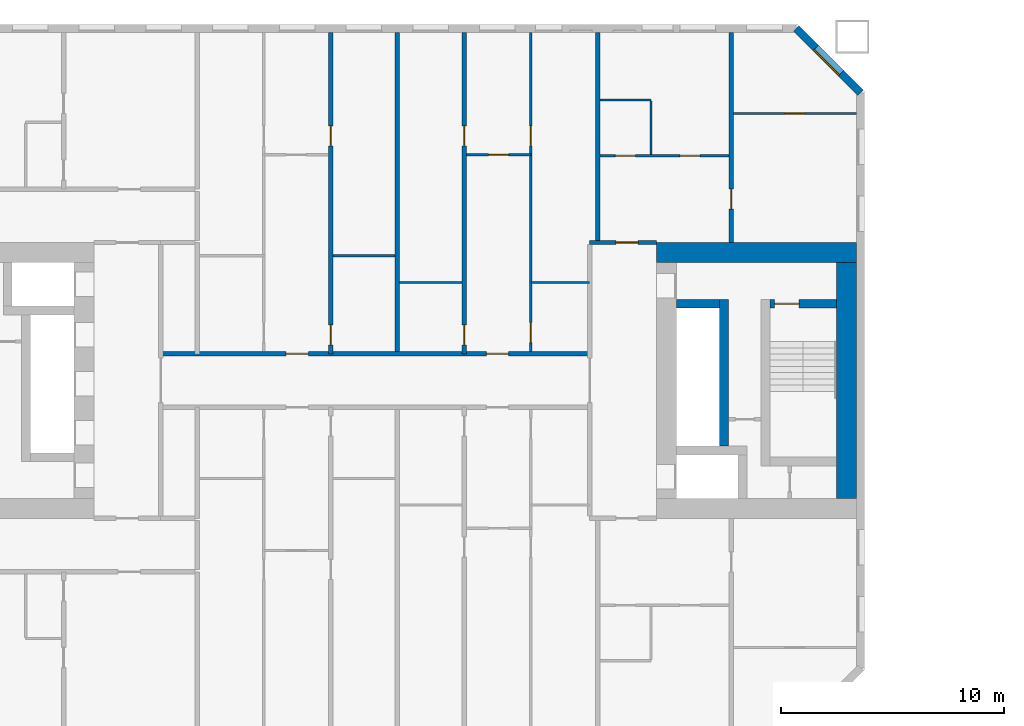
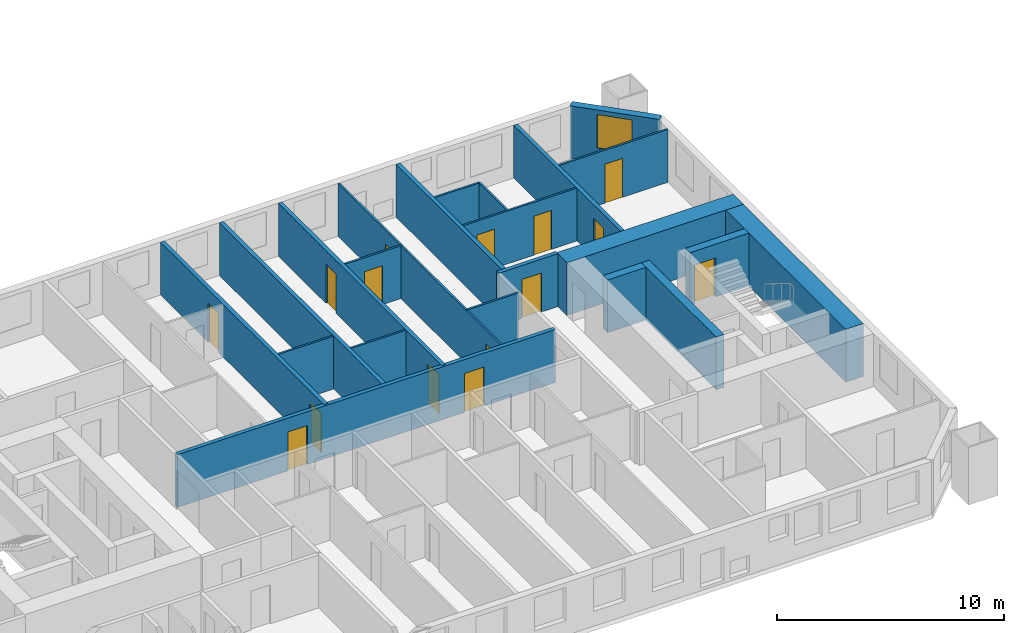
# One storey, part 8 of 17: 22 walls, 15 doors, 1 window, 16 openings.
"""IFC4 building model written with IfcOpenShell, lengths in metres."""

import ifcopenshell
import ifcopenshell.guid

model = None  # the IFC model being written
_history = None  # IfcOwnerHistory: only IFC2X3 demands one
_inside = {}  # id of a spatial element -> (the spatial element, [elements in it])
_under = {}  # id of a project, library or spatial element -> (it, [spatial elements below it])
_declared = {}  # id of a project -> (the project, [libraries it declares])
_typed = {}  # id of a type object -> (the type object, [elements of that type])
_made_of = {}  # id of a material, layer set ... -> (it, [elements and type objects made of it])


def new_model(schema):
    """Start an empty IFC model of exactly this schema.

    Asked for "IFC4X3", IfcOpenShell would pick the latest addendum, in which some entities
    have other attributes; the version numbers below select the first issue.
    IFC2X3 requires an IfcOwnerHistory on every rooted entity: one is made here for all.
    """
    global model, _history
    if schema == "IFC4X3":
        model = ifcopenshell.file(schema_version=(4, 3, 0, 0))
    else:
        model = ifcopenshell.file(schema=schema)
    _inside.clear()
    _under.clear()
    _declared.clear()
    _typed.clear()
    _made_of.clear()
    _history = None
    if model.schema == "IFC2X3":
        org = make("IfcOrganization", Name="unknown")
        user = make(
            "IfcPersonAndOrganization",
            ThePerson=make("IfcPerson", FamilyName="unknown"),
            TheOrganization=org,
        )
        app = make(
            "IfcApplication",
            ApplicationDeveloper=org,
            Version="unknown",
            ApplicationFullName="unknown",
            ApplicationIdentifier="unknown",
        )
        _history = make(
            "IfcOwnerHistory",
            OwningUser=user,
            OwningApplication=app,
            ChangeAction="ADDED",
            CreationDate=0,
        )
    return model


def make(cls, **values):
    """One entity of the class cls with the attributes given. An attribute that is None is left unset."""
    return model.create_entity(
        cls, **{name: value for name, value in values.items() if value is not None}
    )


def rooted(cls, **values):
    """An entity with a GlobalId (a new one), such as an element, a storey or a relation."""
    return make(cls, GlobalId=ifcopenshell.guid.new(), OwnerHistory=_history, **values)


def si_unit(unit_type, name, prefix=None):
    """IfcSIUnit, for example si_unit("LENGTHUNIT", "METRE", prefix="MILLI")."""
    return make("IfcSIUnit", UnitType=unit_type, Prefix=prefix, Name=name)


def assignment(units):
    """IfcUnitAssignment: the units of a project."""
    return None if units is None else make("IfcUnitAssignment", Units=units)


def point(xyz):
    """IfcCartesianPoint."""
    return None if xyz is None else make("IfcCartesianPoint", Coordinates=xyz)


def direction(xyz):
    """IfcDirection."""
    return None if xyz is None else make("IfcDirection", DirectionRatios=xyz)


def frame(location, z_axis=None, x_axis=None):
    """IfcAxis2Placement3D, a coordinate frame: its origin and axes. An axis left out is left unset."""
    return make(
        "IfcAxis2Placement3D",
        Location=point(location),
        Axis=direction(z_axis),
        RefDirection=direction(x_axis),
    )


def frame_2d(location, x_axis=None):
    """IfcAxis2Placement2D, a coordinate frame in the plane: its origin and x axis."""
    return make(
        "IfcAxis2Placement2D", Location=point(location), RefDirection=direction(x_axis)
    )


def origin():
    """The frame at (0, 0, 0) with its axes left unset."""
    return frame((0.0, 0.0, 0.0))


def place(relative_to, where):
    """IfcLocalPlacement: puts the frame where relative to a parent placement (None: the world)."""
    return make(
        "IfcLocalPlacement", PlacementRelTo=relative_to, RelativePlacement=where
    )


def context(
    kind, dimensions, precision=None, world=None, true_north=None, identifier=None
):
    """IfcGeometricRepresentationContext, for example the 3D "Model" context."""
    return make(
        "IfcGeometricRepresentationContext",
        ContextIdentifier=identifier,
        ContextType=kind,
        CoordinateSpaceDimension=dimensions,
        Precision=precision,
        WorldCoordinateSystem=world,
        TrueNorth=true_north,
    )


def subcontext(parent, identifier, kind, view, scale=None):
    """IfcGeometricRepresentationSubContext, for example "Body" below "Model"."""
    return make(
        "IfcGeometricRepresentationSubContext",
        ContextIdentifier=identifier,
        ContextType=kind,
        ParentContext=parent,
        TargetScale=scale,
        TargetView=view,
    )


def project(units=None, contexts=None):
    """IfcProject with its units and contexts."""
    return rooted(
        "IfcProject",
        Name="project",
        RepresentationContexts=contexts,
        UnitsInContext=assignment(units),
    )


def spatial(cls, under=None, at=None, **own):
    """A site, building, storey or space (cls), placed at a placement, below another one or the project."""
    s = rooted(cls, ObjectPlacement=at, **own)
    if under is not None:
        _under.setdefault(under.id(), (under, []))[1].append(s)
    return s


def profile(cls, at=None, kind="AREA", **sizes):
    """A parametric profile (cls). Its sizes go by their IFC names, for example OverallWidth=200.0."""
    return make(cls, ProfileType=kind, Position=at, **sizes)


def rectangle(**sizes):
    """IfcRectangleProfileDef."""
    return profile("IfcRectangleProfileDef", **sizes)


def extrude(swept, where, along, depth):
    """IfcExtrudedAreaSolid: the profile swept, set in the frame where, extruded along a direction by depth."""
    return make(
        "IfcExtrudedAreaSolid",
        SweptArea=swept,
        Position=where,
        ExtrudedDirection=direction(along),
        Depth=depth,
    )


def shape(context_of_items, identifier, shape_type, items):
    """IfcShapeRepresentation: the items that make up one representation, for example the "Body"."""
    return make(
        "IfcShapeRepresentation",
        ContextOfItems=context_of_items,
        RepresentationIdentifier=identifier,
        RepresentationType=shape_type,
        Items=items,
    )


def material(Name=None, Category=None):
    """IfcMaterial."""
    return make("IfcMaterial", Name=Name, Category=Category)


def layer(
    of_material, thickness, ventilated=None, Name=None, Category=None, Priority=None
):
    """IfcMaterialLayer: one layer of a wall or slab, of a material (None: an air gap)."""
    return make(
        "IfcMaterialLayer",
        Material=of_material,
        LayerThickness=thickness,
        IsVentilated=ventilated,
        Name=Name,
        Category=Category,
        Priority=Priority,
    )


def layer_set(layers, Name=None):
    """IfcMaterialLayerSet."""
    return make("IfcMaterialLayerSet", MaterialLayers=layers, LayerSetName=Name)


def made_of(thing, what):
    """Note that an element or type object is made of a material, layer set ...; save() writes the relation."""
    if what is not None:
        _made_of.setdefault(what.id(), (what, []))[1].append(thing)
    return thing


def type_object(cls, material=None, **own):
    """A type object (cls), such as IfcWallType, which elements share."""
    return made_of(rooted(cls, **own), material)


def element(
    cls,
    number,
    at=None,
    inside=None,
    cuts=None,
    type_object=None,
    material=None,
    context=None,
    identifier="Body",
    shape_type=None,
    held_by="IfcProductDefinitionShape",
    body=None,
    shapes=None,
    **own,
):
    """One element of the class cls, such as IfcWall. Its Tag is "e" and its number.

    at: its placement. inside: the storey or other place that contains it. cuts: it is an
    opening in that element (IfcRelVoidsElement). A single representation is given by context,
    identifier, shape_type and body (its items); several are given by shapes. held_by: the class
    of the entity that holds the representations. save() writes the other relations.
    """
    e = rooted(cls, Tag="e%d" % number, ObjectPlacement=at, **own)
    if body is not None:
        shapes = [shape(context, identifier, shape_type, body)]
    if shapes is not None:
        e.Representation = make(held_by, Representations=shapes)
    if inside is not None:
        _inside.setdefault(inside.id(), (inside, []))[1].append(e)
    if cuts is not None:
        rooted(
            "IfcRelVoidsElement", RelatingBuildingElement=cuts, RelatedOpeningElement=e
        )
    if type_object is not None:
        _typed.setdefault(type_object.id(), (type_object, []))[1].append(e)
    return made_of(e, material)


def fill(opening, filler):
    """IfcRelFillsElement: the door or window that sits in an opening."""
    return rooted(
        "IfcRelFillsElement",
        RelatingOpeningElement=opening,
        RelatedBuildingElement=filler,
    )


def aggregate(whole, parts):
    """IfcRelAggregates: a whole, such as a stair, and the parts it consists of."""
    return rooted("IfcRelAggregates", RelatingObject=whole, RelatedObjects=parts)


def save(model, path):
    """Write the relations noted so far, then the file.

    IfcRelAggregates (storeys below a building ...), IfcRelContainedInSpatialStructure (elements
    in a storey), IfcRelDefinesByType, IfcRelAssociatesMaterial and IfcRelDeclares: one each for
    every whole, place, type object, material and project.
    """
    for whole, parts in _under.values():
        aggregate(whole, parts)
    for where, things in _inside.values():
        rooted(
            "IfcRelContainedInSpatialStructure",
            RelatedElements=things,
            RelatingStructure=where,
        )
    for kind, things in _typed.values():
        rooted("IfcRelDefinesByType", RelatedObjects=things, RelatingType=kind)
    for what, things in _made_of.values():
        rooted("IfcRelAssociatesMaterial", RelatedObjects=things, RelatingMaterial=what)
    for by, libraries in _declared.values():
        rooted("IfcRelDeclares", RelatingContext=by, RelatedDefinitions=libraries)
    model.write(path)


model = new_model("IFC4")

# Units and contexts
model_context = context("Model", 3, precision=1e-05, world=origin(), true_north=direction((0.0, 1.0)))
body_context = subcontext(model_context, "Body", "Model", "MODEL_VIEW")
ifc_project = project(units=[si_unit("LENGTHUNIT", "METRE"), si_unit("AREAUNIT", "SQUARE_METRE"), si_unit("VOLUMEUNIT", "CUBIC_METRE"), si_unit("PLANEANGLEUNIT", "RADIAN"), si_unit("MASSUNIT", "GRAM", prefix="KILO")], contexts=[model_context])

# Site, building, storey
site_placement = place(None, origin())
site = spatial("IfcSite", under=ifc_project, at=site_placement, CompositionType="ELEMENT")
building_placement = place(site_placement, origin())
building = spatial("IfcBuilding", under=site, at=building_placement, Name="Tuart Gate Housing", CompositionType="ELEMENT")
storey_placement = place(building_placement, frame((0.0, 0.0, 25.699951171875)))
storey = spatial("IfcBuildingStorey", under=building, at=storey_placement, Name="L06", CompositionType="ELEMENT", Elevation=25.699951171875)

# Wall, opening, window
ifc_material_1 = material(Name="Brick", Category="masonry")
ifc_layer_1 = layer(ifc_material_1, 0.360107421875)
ifc_layer_set_1 = layer_set([ifc_layer_1], Name="Brick pier and spandrel wall 360")
wall_type_1 = type_object("IfcWallType", Name="Brick pier and spandrel wall 360", PredefinedType="STANDARD", material=ifc_layer_set_1)
wall_1_placement = place(storey_placement, frame((75.820068359375, 82.92529296875, 0.0), z_axis=(0.0, 0.0, 1.0), x_axis=(-0.707106781187, 0.707106781187, 0.0)))
wall_1 = element("IfcWall", 1, at=wall_1_placement, inside=storey, type_object=wall_type_1, Name="External wall A-NE L06", PredefinedType="STANDARD", context=body_context, shape_type="SweptSolid", body=[
    extrude(rectangle(XDim=4.09375, YDim=0.360107421875, at=frame_2d((2.046875, 0.0))), origin(), (0.0, 0.0, 1.0), 2.85009765625),
])
opening_1_placement = place(wall_1_placement, frame((1.2470703125, 0.0, 0.800048828125)))
opening_1 = element("IfcOpeningElement", 2, at=opening_1_placement, cuts=wall_1, Name="Opening W1", PredefinedType="OPENING", context=body_context, shape_type="SweptSolid", body=[
    extrude(rectangle(XDim=1.60009765625, YDim=1.800048828125, at=frame_2d((0.800048828125, 0.89990234375))), frame((0.0, 0.18994140625, 0.0), z_axis=(0.0, -1.0, 0.0), x_axis=(1.0, 0.0, 0.0)), (0.0, 0.0, 1.0), 0.380126953125),
])
ifc_material_2 = material(Name="Aluminium frame with clear glass", Category="aluminium")
window_type = type_object("IfcWindowType", Name="Punched window 1600 x 1800", PartitioningType="SINGLE_PANEL", PredefinedType="WINDOW", material=ifc_material_2)
window_placement = place(opening_1_placement, origin())
window = element("IfcWindow", 3, at=window_placement, inside=storey, type_object=window_type, Name="Window W1", OverallHeight=1.800048828125, OverallWidth=1.60009765625, PartitioningType="SINGLE_PANEL", PredefinedType="WINDOW", context=body_context, shape_type="SweptSolid", body=[
    extrude(rectangle(XDim=1.60009765625, YDim=1.800048828125, at=frame_2d((0.800048828125, 0.89990234375))), frame((0.0, 0.150146484375, 0.0), z_axis=(0.0, -1.0, 0.0), x_axis=(1.0, 0.0, 0.0)), (0.0, 0.0, 1.0), 0.06005859375),
])
fill(opening_1, window)

# Wall
ifc_material_3 = material(Name="Concrete C60", Category="concrete")
ifc_layer_2 = layer(ifc_material_3, 0.39990234375)
ifc_layer_set_2 = layer_set([ifc_layer_2], Name="Core wall 400 C60")
wall_type_2 = type_object("IfcWallType", Name="Core wall 400 C60", PredefinedType="SHEAR", material=ifc_layer_set_2)
wall_2_placement = place(storey_placement, frame((67.5400390625, 73.449951171875, 0.0), z_axis=(0.0, 0.0, 1.0), x_axis=(1.0, 0.0, 0.0)))
element("IfcWall", 4, at=wall_2_placement, inside=storey, type_object=wall_type_2, Name="Core wall AG.4", PredefinedType="SHEAR", context=body_context, shape_type="SweptSolid", body=[
    extrude(rectangle(XDim=1.949951171875, YDim=0.39990234375, at=frame_2d((0.97509765625, 0.0))), origin(), (0.0, 0.0, 1.0), 2.85009765625),
])

# Wall, opening, door
wall_3_placement = place(storey_placement, frame((71.739990234375, 73.449951171875, 0.0), z_axis=(0.0, 0.0, 1.0), x_axis=(1.0, 0.0, 0.0)))
wall_3 = element("IfcWall", 5, at=wall_3_placement, inside=storey, type_object=wall_type_2, Name="Core wall AG.5", PredefinedType="SHEAR", context=body_context, shape_type="SweptSolid", body=[
    extrude(rectangle(XDim=3.0, YDim=0.39990234375, at=frame_2d((1.5, 0.0))), origin(), (0.0, 0.0, 1.0), 2.85009765625),
])
opening_2_placement = place(wall_3_placement, frame((0.219970703125, 0.0, 0.0)))
opening_2 = element("IfcOpeningElement", 6, at=opening_2_placement, cuts=wall_3, Name="Opening D368", PredefinedType="OPENING", context=body_context, shape_type="SweptSolid", body=[
    extrude(rectangle(XDim=1.10009765625, YDim=2.10009765625, at=frame_2d((0.550048828125, 1.050048828125))), frame((0.0, 0.2099609375, 0.0), z_axis=(0.0, -1.0, 0.0), x_axis=(1.0, 0.0, 0.0)), (0.0, 0.0, 1.0), 0.419921875),
])
ifc_material_4 = material(Name="Steel fire door", Category="steel")
door_type_1 = type_object("IfcDoorType", Name="Stair door 1100 x 2100 RH", OperationType="SINGLE_SWING_RIGHT", PredefinedType="DOOR", material=ifc_material_4)
door_1_placement = place(opening_2_placement, frame((1.10009765625, 0.0, 0.0), z_axis=(0.0, 0.0, 1.0), x_axis=(-1.0, 0.0, 0.0)))
door_1 = element("IfcDoor", 7, at=door_1_placement, inside=storey, type_object=door_type_1, Name="Stair door AG.SD", OperationType="SINGLE_SWING_RIGHT", OverallHeight=2.10009765625, OverallWidth=1.10009765625, PredefinedType="DOOR", context=body_context, shape_type="SweptSolid", body=[
    extrude(rectangle(XDim=1.10009765625, YDim=2.10009765625, at=frame_2d((0.550048828125, 1.050048828125))), frame((0.0, 0.025146484375, 0.0), z_axis=(0.0, -1.0, 0.0), x_axis=(1.0, 0.0, 0.0)), (0.0, 0.0, 1.0), 0.050048828125),
])
fill(opening_2, door_1)

# Walls
wall_4_placement = place(storey_placement, frame((69.68994140625, 67.050048828125, 0.0), z_axis=(0.0, 0.0, 1.0), x_axis=(0.0, 1.0, 0.0)))
element("IfcWall", 8, at=wall_4_placement, inside=storey, type_object=wall_type_2, Name="Core wall AG.6", PredefinedType="SHEAR", context=body_context, shape_type="SweptSolid", body=[
    extrude(rectangle(XDim=6.599853515625, YDim=0.39990234375, at=frame_2d((3.2998046875, 0.0))), origin(), (0.0, 0.0, 1.0), 2.85009765625),
])
ifc_material_5 = material(Name="Concrete C60", Category="concrete")
ifc_layer_3 = layer(ifc_material_5, 0.89990234375)
ifc_layer_set_3 = layer_set([ifc_layer_3], Name="Core wall 900 C60")
wall_type_3 = type_object("IfcWallType", Name="Core wall 900 C60", PredefinedType="SHEAR", material=ifc_layer_set_3)
wall_5_placement = place(storey_placement, frame((75.18994140625, 64.699951171875, 0.0), z_axis=(0.0, 0.0, 1.0), x_axis=(0.0, 1.0, 0.0)))
element("IfcWall", 9, at=wall_5_placement, inside=storey, type_object=wall_type_3, Name="Core wall AG back", PredefinedType="SHEAR", context=body_context, shape_type="SweptSolid", body=[
    extrude(rectangle(XDim=10.60009765625, YDim=0.89990234375, at=frame_2d((5.300048828125, 0.0))), origin(), (0.0, 0.0, 1.0), 2.85009765625),
])
wall_6_placement = place(storey_placement, frame((66.639892578125, 75.75, 0.0), z_axis=(0.0, 0.0, 1.0), x_axis=(1.0, 0.0, 0.0)))
element("IfcWall", 10, at=wall_6_placement, inside=storey, type_object=wall_type_3, Name="Core wall AG north", PredefinedType="SHEAR", context=body_context, shape_type="SweptSolid", body=[
    extrude(rectangle(XDim=9.0, YDim=0.89990234375, at=frame_2d((4.5, 0.0))), origin(), (0.0, 0.0, 1.0), 2.85009765625),
])

# Wall, openings, doors
ifc_material_6 = material(Name="Concrete masonry 15 MPa", Category="masonry")
ifc_layer_4 = layer(ifc_material_6, 0.199951171875)
ifc_layer_set_4 = layer_set([ifc_layer_4], Name="Corridor wall masonry 200")
wall_type_4 = type_object("IfcWallType", Name="Corridor wall masonry 200", PredefinedType="PARTITIONING", material=ifc_layer_set_4)
wall_7_placement = place(storey_placement, frame((44.360107421875, 71.199951171875, 0.0), z_axis=(0.0, 0.0, 1.0), x_axis=(1.0, 0.0, 0.0)))
wall_7 = element("IfcWall", 11, at=wall_7_placement, inside=storey, type_object=wall_type_4, Name="Corridor wall masonry 200", PredefinedType="PARTITIONING", context=body_context, shape_type="SweptSolid", body=[
    extrude(rectangle(XDim=19.27978515625, YDim=0.199951171875, at=frame_2d((9.639892578125, 0.0))), origin(), (0.0, 0.0, 1.0), 2.85009765625),
])
opening_3_placement = place(wall_7_placement, frame((14.639892578125, 0.0, 0.0)))
opening_3 = element("IfcOpeningElement", 12, at=opening_3_placement, cuts=wall_7, Name="Opening D370", PredefinedType="OPENING", context=body_context, shape_type="SweptSolid", body=[
    extrude(rectangle(XDim=1.0, YDim=2.10009765625, at=frame_2d((0.5, 1.050048828125))), frame((0.0, 0.10986328125, 0.0), z_axis=(0.0, -1.0, 0.0), x_axis=(1.0, 0.0, 0.0)), (0.0, 0.0, 1.0), 0.219970703125),
])
opening_4_placement = place(wall_7_placement, frame((5.639892578125, 0.0, 0.0)))
opening_4 = element("IfcOpeningElement", 13, at=opening_4_placement, cuts=wall_7, Name="Opening D371", PredefinedType="OPENING", context=body_context, shape_type="SweptSolid", body=[
    extrude(rectangle(XDim=1.0, YDim=2.10009765625, at=frame_2d((0.5, 1.050048828125))), frame((0.0, 0.10986328125, 0.0), z_axis=(0.0, -1.0, 0.0), x_axis=(1.0, 0.0, 0.0)), (0.0, 0.0, 1.0), 0.219970703125),
])
ifc_material_7 = material(Name="Timber door leaf in steel frame", Category="steel")
door_type_2 = type_object("IfcDoorType", Name="Flat entrance door 1000", OperationType="SINGLE_SWING_LEFT", PredefinedType="DOOR", material=ifc_material_7)
door_2_placement = place(opening_3_placement, origin())
door_2 = element("IfcDoor", 14, at=door_2_placement, inside=storey, type_object=door_type_2, Name="Flat entrance door", OperationType="SINGLE_SWING_LEFT", OverallHeight=2.10009765625, OverallWidth=1.0, PredefinedType="DOOR", context=body_context, shape_type="SweptSolid", body=[
    extrude(rectangle(XDim=1.0, YDim=2.10009765625, at=frame_2d((0.5, 1.050048828125))), frame((0.0, 0.02490234375, 0.0), z_axis=(0.0, -1.0, 0.0), x_axis=(1.0, 0.0, 0.0)), (0.0, 0.0, 1.0), 0.050048828125),
])
fill(opening_3, door_2)
door_3_placement = place(opening_4_placement, origin())
door_3 = element("IfcDoor", 15, at=door_3_placement, inside=storey, type_object=door_type_2, Name="Flat entrance door", OperationType="SINGLE_SWING_LEFT", OverallHeight=2.10009765625, OverallWidth=1.0, PredefinedType="DOOR", context=body_context, shape_type="SweptSolid", body=[
    extrude(rectangle(XDim=1.0, YDim=2.10009765625, at=frame_2d((0.5, 1.050048828125))), frame((0.0, 0.02490234375, 0.0), z_axis=(0.0, -1.0, 0.0), x_axis=(1.0, 0.0, 0.0)), (0.0, 0.0, 1.0), 0.050048828125),
])
fill(opening_4, door_3)

# Wall, opening, door
ifc_material_8 = material(Name="Concrete masonry 15 MPa", Category="masonry")
ifc_layer_5 = layer(ifc_material_8, 0.199951171875)
ifc_layer_set_5 = layer_set([ifc_layer_5], Name="Enclosure wall masonry 200")
wall_type_5 = type_object("IfcWallType", Name="Enclosure wall masonry 200", PredefinedType="PARTITIONING", material=ifc_layer_set_5)
wall_8_placement = place(storey_placement, frame((63.639892578125, 76.199951171875, 0.0), z_axis=(0.0, 0.0, 1.0), x_axis=(1.0, 0.0, 0.0)))
wall_8 = element("IfcWall", 16, at=wall_8_placement, inside=storey, type_object=wall_type_5, Name="Enclosure wall masonry 200", PredefinedType="PARTITIONING", context=body_context, shape_type="SweptSolid", body=[
    extrude(rectangle(XDim=3.0, YDim=0.199951171875, at=frame_2d((1.5, 0.0))), origin(), (0.0, 0.0, 1.0), 2.85009765625),
])
opening_5_placement = place(wall_8_placement, frame((1.179931640625, 0.0, 0.0)))
opening_5 = element("IfcOpeningElement", 17, at=opening_5_placement, cuts=wall_8, Name="Opening D367", PredefinedType="OPENING", context=body_context, shape_type="SweptSolid", body=[
    extrude(rectangle(XDim=1.0, YDim=2.10009765625, at=frame_2d((0.5, 1.050048828125))), frame((0.0, 0.10986328125, 0.0), z_axis=(0.0, -1.0, 0.0), x_axis=(1.0, 0.0, 0.0)), (0.0, 0.0, 1.0), 0.219970703125),
])
door_4_placement = place(opening_5_placement, origin())
door_4 = element("IfcDoor", 18, at=door_4_placement, inside=storey, type_object=door_type_2, Name="Flat entrance door", OperationType="SINGLE_SWING_LEFT", OverallHeight=2.10009765625, OverallWidth=1.0, PredefinedType="DOOR", context=body_context, shape_type="SweptSolid", body=[
    extrude(rectangle(XDim=1.0, YDim=2.10009765625, at=frame_2d((0.5, 1.050048828125))), frame((0.0, 0.02490234375, 0.0), z_axis=(0.0, -1.0, 0.0), x_axis=(1.0, 0.0, 0.0)), (0.0, 0.0, 1.0), 0.050048828125),
])
fill(opening_5, door_4)

# Walls
ifc_material_9 = material(Name="Gypsum board on steel studs", Category="steel")
ifc_layer_6 = layer(ifc_material_9, 0.10009765625)
ifc_layer_set_6 = layer_set([ifc_layer_6], Name="Partition 100")
wall_type_6 = type_object("IfcWallType", Name="Partition 100", PredefinedType="PARTITIONING", material=ifc_layer_set_6)
wall_9_placement = place(storey_placement, frame((55.10009765625, 74.39990234375, 0.0), z_axis=(0.0, 0.0, 1.0), x_axis=(1.0, 0.0, 0.0)))
element("IfcWall", 19, at=wall_9_placement, inside=storey, type_object=wall_type_6, Name="Partition 100", PredefinedType="PARTITIONING", context=body_context, shape_type="SweptSolid", body=[
    extrude(rectangle(XDim=2.7998046875, YDim=0.10009765625, at=frame_2d((1.39990234375, 0.0))), origin(), (0.0, 0.0, 1.0), 2.85009765625),
])
wall_10_placement = place(storey_placement, frame((61.0, 74.39990234375, 0.0), z_axis=(0.0, 0.0, 1.0), x_axis=(1.0, 0.0, 0.0)))
element("IfcWall", 20, at=wall_10_placement, inside=storey, type_object=wall_type_6, Name="Partition 100", PredefinedType="PARTITIONING", context=body_context, shape_type="SweptSolid", body=[
    extrude(rectangle(XDim=2.639892578125, YDim=0.10009765625, at=frame_2d((1.31982421875, 0.0))), origin(), (0.0, 0.0, 1.0), 2.85009765625),
])
wall_11_placement = place(storey_placement, frame((52.10009765625, 75.60009765625, 0.0), z_axis=(0.0, 0.0, 1.0), x_axis=(1.0, 0.0, 0.0)))
element("IfcWall", 21, at=wall_11_placement, inside=storey, type_object=wall_type_6, Name="Partition 100", PredefinedType="PARTITIONING", context=body_context, shape_type="SweptSolid", body=[
    extrude(rectangle(XDim=2.7998046875, YDim=0.10009765625, at=frame_2d((1.39990234375, 0.0))), origin(), (0.0, 0.0, 1.0), 2.85009765625),
])

# Wall, openings, doors
wall_12_placement = place(storey_placement, frame((64.10009765625, 80.10009765625, 0.0), z_axis=(0.0, 0.0, 1.0), x_axis=(1.0, 0.0, 0.0)))
wall_12 = element("IfcWall", 22, at=wall_12_placement, inside=storey, type_object=wall_type_6, Name="Partition 100", PredefinedType="PARTITIONING", context=body_context, shape_type="SweptSolid", body=[
    extrude(rectangle(XDim=5.7998046875, YDim=0.10009765625, at=frame_2d((2.89990234375, 0.0))), origin(), (0.0, 0.0, 1.0), 2.85009765625),
])
opening_6_placement = place(wall_12_placement, frame((3.60009765625, 0.0, 0.0)))
opening_6 = element("IfcOpeningElement", 23, at=opening_6_placement, cuts=wall_12, Name="Opening D353", PredefinedType="OPENING", context=body_context, shape_type="SweptSolid", body=[
    extrude(rectangle(XDim=0.89990234375, YDim=2.10009765625, at=frame_2d((0.449951171875, 1.050048828125))), frame((0.0, 0.06005859375, 0.0), z_axis=(0.0, -1.0, 0.0), x_axis=(1.0, 0.0, 0.0)), (0.0, 0.0, 1.0), 0.1201171875),
])
opening_7_placement = place(wall_12_placement, frame((0.699951171875, 0.0, 0.0)))
opening_7 = element("IfcOpeningElement", 24, at=opening_7_placement, cuts=wall_12, Name="Opening D352", PredefinedType="OPENING", context=body_context, shape_type="SweptSolid", body=[
    extrude(rectangle(XDim=0.89990234375, YDim=2.10009765625, at=frame_2d((0.449951171875, 1.050048828125))), frame((0.0, 0.06005859375, 0.0), z_axis=(0.0, -1.0, 0.0), x_axis=(1.0, 0.0, 0.0)), (0.0, 0.0, 1.0), 0.1201171875),
])
ifc_material_10 = material(Name="Timber door leaf in steel frame", Category="steel")
door_type_3 = type_object("IfcDoorType", Name="Bathroom door 900 RH", OperationType="SINGLE_SWING_RIGHT", PredefinedType="DOOR", material=ifc_material_10)
door_5_placement = place(opening_7_placement, origin())
door_5 = element("IfcDoor", 25, at=door_5_placement, inside=storey, type_object=door_type_3, Name="Bathroom door", OperationType="SINGLE_SWING_RIGHT", OverallHeight=2.10009765625, OverallWidth=0.89990234375, PredefinedType="DOOR", context=body_context, shape_type="SweptSolid", body=[
    extrude(rectangle(XDim=0.89990234375, YDim=2.10009765625, at=frame_2d((0.449951171875, 1.050048828125))), frame((0.0, 0.02490234375, 0.0), z_axis=(0.0, -1.0, 0.0), x_axis=(1.0, 0.0, 0.0)), (0.0, 0.0, 1.0), 0.050048828125),
])
fill(opening_7, door_5)
ifc_material_11 = material(Name="Timber door leaf in steel frame", Category="steel")
door_type_4 = type_object("IfcDoorType", Name="Internal door 900", OperationType="SINGLE_SWING_LEFT", PredefinedType="DOOR", material=ifc_material_11)
door_6_placement = place(opening_6_placement, origin())
door_6 = element("IfcDoor", 26, at=door_6_placement, inside=storey, type_object=door_type_4, Name="Internal door", OperationType="SINGLE_SWING_LEFT", OverallHeight=2.10009765625, OverallWidth=0.89990234375, PredefinedType="DOOR", context=body_context, shape_type="SweptSolid", body=[
    extrude(rectangle(XDim=0.89990234375, YDim=2.10009765625, at=frame_2d((0.449951171875, 1.050048828125))), frame((0.0, 0.02490234375, 0.0), z_axis=(0.0, -1.0, 0.0), x_axis=(1.0, 0.0, 0.0)), (0.0, 0.0, 1.0), 0.050048828125),
])
fill(opening_6, door_6)

# Wall, opening, door
wall_13_placement = place(storey_placement, frame((58.10009765625, 80.139892578125, 0.0), z_axis=(0.0, 0.0, 1.0), x_axis=(1.0, 0.0, 0.0)))
wall_13 = element("IfcWall", 27, at=wall_13_placement, inside=storey, type_object=wall_type_6, Name="Partition 100", PredefinedType="PARTITIONING", context=body_context, shape_type="SweptSolid", body=[
    extrude(rectangle(XDim=2.89990234375, YDim=0.10009765625, at=frame_2d((1.449951171875, 0.0))), origin(), (0.0, 0.0, 1.0), 2.85009765625),
])
opening_8_placement = place(wall_13_placement, frame((1.0, 0.0, 0.0)))
opening_8 = element("IfcOpeningElement", 28, at=opening_8_placement, cuts=wall_13, Name="Opening D350", PredefinedType="OPENING", context=body_context, shape_type="SweptSolid", body=[
    extrude(rectangle(XDim=0.89990234375, YDim=2.10009765625, at=frame_2d((0.449951171875, 1.050048828125))), frame((0.0, 0.06005859375, 0.0), z_axis=(0.0, -1.0, 0.0), x_axis=(1.0, 0.0, 0.0)), (0.0, 0.0, 1.0), 0.1201171875),
])
door_7_placement = place(opening_8_placement, frame((0.89990234375, 0.0, 0.0), z_axis=(0.0, 0.0, 1.0), x_axis=(-1.0, 0.0, 0.0)))
door_7 = element("IfcDoor", 29, at=door_7_placement, inside=storey, type_object=door_type_4, Name="Internal door", OperationType="SINGLE_SWING_LEFT", OverallHeight=2.10009765625, OverallWidth=0.89990234375, PredefinedType="DOOR", context=body_context, shape_type="SweptSolid", body=[
    extrude(rectangle(XDim=0.89990234375, YDim=2.10009765625, at=frame_2d((0.449951171875, 1.050048828125))), frame((0.0, 0.025146484375, 0.0), z_axis=(0.0, -1.0, 0.0), x_axis=(1.0, 0.0, 0.0)), (0.0, 0.0, 1.0), 0.050048828125),
])
fill(opening_8, door_7)

wall_14_placement = place(storey_placement, frame((70.10009765625, 82.0, 0.0), z_axis=(0.0, 0.0, 1.0), x_axis=(1.0, 0.0, 0.0)))
wall_14 = element("IfcWall", 30, at=wall_14_placement, inside=storey, type_object=wall_type_6, Name="Partition 100", PredefinedType="PARTITIONING", context=body_context, shape_type="SweptSolid", body=[
    extrude(rectangle(XDim=5.539794921875, YDim=0.10009765625, at=frame_2d((2.77001953125, 0.0))), origin(), (0.0, 0.0, 1.0), 2.85009765625),
])
opening_9_placement = place(wall_14_placement, frame((2.320068359375, 0.0, 0.0)))
opening_9 = element("IfcOpeningElement", 31, at=opening_9_placement, cuts=wall_14, Name="Opening D347", PredefinedType="OPENING", context=body_context, shape_type="SweptSolid", body=[
    extrude(rectangle(XDim=0.89990234375, YDim=2.10009765625, at=frame_2d((0.449951171875, 1.050048828125))), frame((0.0, 0.06005859375, 0.0), z_axis=(0.0, -1.0, 0.0), x_axis=(1.0, 0.0, 0.0)), (0.0, 0.0, 1.0), 0.1201171875),
])
ifc_material_12 = material(Name="Timber door leaf in steel frame", Category="steel")
door_type_5 = type_object("IfcDoorType", Name="Internal door 900 RH", OperationType="SINGLE_SWING_RIGHT", PredefinedType="DOOR", material=ifc_material_12)
door_8_placement = place(opening_9_placement, origin())
door_8 = element("IfcDoor", 32, at=door_8_placement, inside=storey, type_object=door_type_5, Name="Internal door", OperationType="SINGLE_SWING_RIGHT", OverallHeight=2.10009765625, OverallWidth=0.89990234375, PredefinedType="DOOR", context=body_context, shape_type="SweptSolid", body=[
    extrude(rectangle(XDim=0.89990234375, YDim=2.10009765625, at=frame_2d((0.449951171875, 1.050048828125))), frame((0.0, 0.02490234375, 0.0), z_axis=(0.0, -1.0, 0.0), x_axis=(1.0, 0.0, 0.0)), (0.0, 0.0, 1.0), 0.050048828125),
])
fill(opening_9, door_8)

# Wall
wall_15_placement = place(storey_placement, frame((64.10009765625, 82.60009765625, 0.0), z_axis=(0.0, 0.0, 1.0), x_axis=(1.0, 0.0, 0.0)))
element("IfcWall", 33, at=wall_15_placement, inside=storey, type_object=wall_type_6, Name="Partition 100", PredefinedType="PARTITIONING", context=body_context, shape_type="SweptSolid", body=[
    extrude(rectangle(XDim=2.2998046875, YDim=0.10009765625, at=frame_2d((1.14990234375, 0.0))), origin(), (0.0, 0.0, 1.0), 2.85009765625),
])

# Wall, openings, doors
wall_16_placement = place(storey_placement, frame((61.0, 71.300048828125, 0.0), z_axis=(0.0, 0.0, 1.0), x_axis=(0.0, 1.0, 0.0)))
wall_16 = element("IfcWall", 34, at=wall_16_placement, inside=storey, type_object=wall_type_6, Name="Partition 100", PredefinedType="PARTITIONING", context=body_context, shape_type="SweptSolid", body=[
    extrude(rectangle(XDim=14.33984375, YDim=0.10009765625, at=frame_2d((7.169921875, 0.0))), origin(), (0.0, 0.0, 1.0), 2.85009765625),
])
opening_10_placement = place(wall_16_placement, frame((9.239990234375, 0.0, 0.0)))
opening_10 = element("IfcOpeningElement", 35, at=opening_10_placement, cuts=wall_16, Name="Opening D360", PredefinedType="OPENING", context=body_context, shape_type="SweptSolid", body=[
    extrude(rectangle(XDim=0.89990234375, YDim=2.10009765625, at=frame_2d((0.449951171875, 1.050048828125))), frame((0.0, 0.06005859375, 0.0), z_axis=(0.0, -1.0, 0.0), x_axis=(1.0, 0.0, 0.0)), (0.0, 0.0, 1.0), 0.1201171875),
])
opening_11_placement = place(wall_16_placement, frame((0.39990234375, 0.0, 0.0)))
opening_11 = element("IfcOpeningElement", 36, at=opening_11_placement, cuts=wall_16, Name="Opening D359", PredefinedType="OPENING", context=body_context, shape_type="SweptSolid", body=[
    extrude(rectangle(XDim=0.89990234375, YDim=2.10009765625, at=frame_2d((0.449951171875, 1.050048828125))), frame((0.0, 0.06005859375, 0.0), z_axis=(0.0, -1.0, 0.0), x_axis=(1.0, 0.0, 0.0)), (0.0, 0.0, 1.0), 0.1201171875),
])
door_9_placement = place(opening_11_placement, frame((0.89990234375, 0.0, 0.0), z_axis=(0.0, 0.0, 1.0), x_axis=(-1.0, 0.0, 0.0)))
door_9 = element("IfcDoor", 37, at=door_9_placement, inside=storey, type_object=door_type_3, Name="Bathroom door", OperationType="SINGLE_SWING_RIGHT", OverallHeight=2.10009765625, OverallWidth=0.89990234375, PredefinedType="DOOR", context=body_context, shape_type="SweptSolid", body=[
    extrude(rectangle(XDim=0.89990234375, YDim=2.10009765625, at=frame_2d((0.449951171875, 1.050048828125))), frame((0.0, 0.025146484375, 0.0), z_axis=(0.0, -1.0, 0.0), x_axis=(1.0, 0.0, 0.0)), (0.0, 0.0, 1.0), 0.050048828125),
])
fill(opening_11, door_9)
door_10_placement = place(opening_10_placement, frame((0.89990234375, 0.0, 0.0), z_axis=(0.0, 0.0, 1.0), x_axis=(-1.0, 0.0, 0.0)))
door_10 = element("IfcDoor", 38, at=door_10_placement, inside=storey, type_object=door_type_4, Name="Internal door", OperationType="SINGLE_SWING_LEFT", OverallHeight=2.10009765625, OverallWidth=0.89990234375, PredefinedType="DOOR", context=body_context, shape_type="SweptSolid", body=[
    extrude(rectangle(XDim=0.89990234375, YDim=2.10009765625, at=frame_2d((0.449951171875, 1.050048828125))), frame((0.0, 0.025146484375, 0.0), z_axis=(0.0, -1.0, 0.0), x_axis=(1.0, 0.0, 0.0)), (0.0, 0.0, 1.0), 0.050048828125),
])
fill(opening_10, door_10)

# Wall
wall_17_placement = place(storey_placement, frame((66.39990234375, 80.14990234375, 0.0), z_axis=(0.0, 0.0, 1.0), x_axis=(0.0, 1.0, 0.0)))
element("IfcWall", 39, at=wall_17_placement, inside=storey, type_object=wall_type_6, Name="Partition 100", PredefinedType="PARTITIONING", context=body_context, shape_type="SweptSolid", body=[
    extrude(rectangle(XDim=2.400146484375, YDim=0.10009765625, at=frame_2d((1.2001953125, 0.0))), origin(), (0.0, 0.0, 1.0), 2.85009765625),
])

# Wall, openings, doors
ifc_material_13 = material(Name="Concrete C40", Category="concrete")
ifc_layer_7 = layer(ifc_material_13, 0.199951171875)
ifc_layer_set_7 = layer_set([ifc_layer_7], Name="Party wall concrete C40 200")
wall_type_7 = type_object("IfcWallType", Name="Party wall concrete C40 200", PredefinedType="SOLIDWALL", material=ifc_layer_set_7)
wall_18_placement = place(storey_placement, frame((52.0, 71.199951171875, 0.0), z_axis=(0.0, 0.0, 1.0), x_axis=(0.0, 1.0, 0.0)))
wall_18 = element("IfcWall", 40, at=wall_18_placement, inside=storey, type_object=wall_type_7, Name="Party wall concrete C40 200", PredefinedType="SOLIDWALL", context=body_context, shape_type="SweptSolid", body=[
    extrude(rectangle(XDim=14.43994140625, YDim=0.199951171875, at=frame_2d((7.219970703125, 0.0))), origin(), (0.0, 0.0, 1.0), 2.85009765625),
])
opening_12_placement = place(wall_18_placement, frame((9.340087890625, 0.0, 0.0)))
opening_12 = element("IfcOpeningElement", 41, at=opening_12_placement, cuts=wall_18, Name="Opening D362", PredefinedType="OPENING", context=body_context, shape_type="SweptSolid", body=[
    extrude(rectangle(XDim=0.89990234375, YDim=2.10009765625, at=frame_2d((0.449951171875, 1.050048828125))), frame((0.0, 0.10986328125, 0.0), z_axis=(0.0, -1.0, 0.0), x_axis=(1.0, 0.0, 0.0)), (0.0, 0.0, 1.0), 0.219970703125),
])
opening_13_placement = place(wall_18_placement, frame((0.39990234375, 0.0, 0.0)))
opening_13 = element("IfcOpeningElement", 42, at=opening_13_placement, cuts=wall_18, Name="Opening D361", PredefinedType="OPENING", context=body_context, shape_type="SweptSolid", body=[
    extrude(rectangle(XDim=0.89990234375, YDim=2.10009765625, at=frame_2d((0.449951171875, 1.050048828125))), frame((0.0, 0.10986328125, 0.0), z_axis=(0.0, -1.0, 0.0), x_axis=(1.0, 0.0, 0.0)), (0.0, 0.0, 1.0), 0.219970703125),
])
door_11_placement = place(opening_13_placement, frame((0.89990234375, 0.0, 0.0), z_axis=(0.0, 0.0, 1.0), x_axis=(-1.0, 0.0, 0.0)))
door_11 = element("IfcDoor", 43, at=door_11_placement, inside=storey, type_object=door_type_3, Name="Bathroom door", OperationType="SINGLE_SWING_RIGHT", OverallHeight=2.10009765625, OverallWidth=0.89990234375, PredefinedType="DOOR", context=body_context, shape_type="SweptSolid", body=[
    extrude(rectangle(XDim=0.89990234375, YDim=2.10009765625, at=frame_2d((0.449951171875, 1.050048828125))), frame((0.0, 0.025146484375, 0.0), z_axis=(0.0, -1.0, 0.0), x_axis=(1.0, 0.0, 0.0)), (0.0, 0.0, 1.0), 0.050048828125),
])
fill(opening_13, door_11)
door_12_placement = place(opening_12_placement, frame((0.89990234375, 0.0, 0.0), z_axis=(0.0, 0.0, 1.0), x_axis=(-1.0, 0.0, 0.0)))
door_12 = element("IfcDoor", 44, at=door_12_placement, inside=storey, type_object=door_type_4, Name="Internal door", OperationType="SINGLE_SWING_LEFT", OverallHeight=2.10009765625, OverallWidth=0.89990234375, PredefinedType="DOOR", context=body_context, shape_type="SweptSolid", body=[
    extrude(rectangle(XDim=0.89990234375, YDim=2.10009765625, at=frame_2d((0.449951171875, 1.050048828125))), frame((0.0, 0.025146484375, 0.0), z_axis=(0.0, -1.0, 0.0), x_axis=(1.0, 0.0, 0.0)), (0.0, 0.0, 1.0), 0.050048828125),
])
fill(opening_12, door_12)

wall_19_placement = place(storey_placement, frame((58.0, 71.199951171875, 0.0), z_axis=(0.0, 0.0, 1.0), x_axis=(0.0, 1.0, 0.0)))
wall_19 = element("IfcWall", 45, at=wall_19_placement, inside=storey, type_object=wall_type_7, Name="Party wall concrete C40 200", PredefinedType="SOLIDWALL", context=body_context, shape_type="SweptSolid", body=[
    extrude(rectangle(XDim=14.43994140625, YDim=0.199951171875, at=frame_2d((7.219970703125, 0.0))), origin(), (0.0, 0.0, 1.0), 2.85009765625),
])
opening_14_placement = place(wall_19_placement, frame((9.340087890625, 0.0, 0.0)))
opening_14 = element("IfcOpeningElement", 46, at=opening_14_placement, cuts=wall_19, Name="Opening D364", PredefinedType="OPENING", context=body_context, shape_type="SweptSolid", body=[
    extrude(rectangle(XDim=0.89990234375, YDim=2.10009765625, at=frame_2d((0.449951171875, 1.050048828125))), frame((0.0, 0.10986328125, 0.0), z_axis=(0.0, -1.0, 0.0), x_axis=(1.0, 0.0, 0.0)), (0.0, 0.0, 1.0), 0.219970703125),
])
opening_15_placement = place(wall_19_placement, frame((0.39990234375, 0.0, 0.0)))
opening_15 = element("IfcOpeningElement", 47, at=opening_15_placement, cuts=wall_19, Name="Opening D363", PredefinedType="OPENING", context=body_context, shape_type="SweptSolid", body=[
    extrude(rectangle(XDim=0.89990234375, YDim=2.10009765625, at=frame_2d((0.449951171875, 1.050048828125))), frame((0.0, 0.10986328125, 0.0), z_axis=(0.0, -1.0, 0.0), x_axis=(1.0, 0.0, 0.0)), (0.0, 0.0, 1.0), 0.219970703125),
])
ifc_material_14 = material(Name="Timber door leaf in steel frame", Category="steel")
door_type_6 = type_object("IfcDoorType", Name="Bathroom door 900", OperationType="SINGLE_SWING_LEFT", PredefinedType="DOOR", material=ifc_material_14)
door_13_placement = place(opening_15_placement, origin())
door_13 = element("IfcDoor", 48, at=door_13_placement, inside=storey, type_object=door_type_6, Name="Bathroom door", OperationType="SINGLE_SWING_LEFT", OverallHeight=2.10009765625, OverallWidth=0.89990234375, PredefinedType="DOOR", context=body_context, shape_type="SweptSolid", body=[
    extrude(rectangle(XDim=0.89990234375, YDim=2.10009765625, at=frame_2d((0.449951171875, 1.050048828125))), frame((0.0, 0.02490234375, 0.0), z_axis=(0.0, -1.0, 0.0), x_axis=(1.0, 0.0, 0.0)), (0.0, 0.0, 1.0), 0.050048828125),
])
fill(opening_15, door_13)
door_14_placement = place(opening_14_placement, origin())
door_14 = element("IfcDoor", 49, at=door_14_placement, inside=storey, type_object=door_type_5, Name="Internal door", OperationType="SINGLE_SWING_RIGHT", OverallHeight=2.10009765625, OverallWidth=0.89990234375, PredefinedType="DOOR", context=body_context, shape_type="SweptSolid", body=[
    extrude(rectangle(XDim=0.89990234375, YDim=2.10009765625, at=frame_2d((0.449951171875, 1.050048828125))), frame((0.0, 0.02490234375, 0.0), z_axis=(0.0, -1.0, 0.0), x_axis=(1.0, 0.0, 0.0)), (0.0, 0.0, 1.0), 0.050048828125),
])
fill(opening_14, door_14)

# Wall
wall_20_placement = place(storey_placement, frame((64.0, 76.199951171875, 0.0), z_axis=(0.0, 0.0, 1.0), x_axis=(0.0, 1.0, 0.0)))
element("IfcWall", 50, at=wall_20_placement, inside=storey, type_object=wall_type_7, Name="Party wall concrete C40 200", PredefinedType="SOLIDWALL", context=body_context, shape_type="SweptSolid", body=[
    extrude(rectangle(XDim=9.43994140625, YDim=0.199951171875, at=frame_2d((4.719970703125, 0.0))), origin(), (0.0, 0.0, 1.0), 2.85009765625),
])

# Wall, opening, door
wall_21_placement = place(storey_placement, frame((70.0, 76.199951171875, 0.0), z_axis=(0.0, 0.0, 1.0), x_axis=(0.0, 1.0, 0.0)))
wall_21 = element("IfcWall", 51, at=wall_21_placement, inside=storey, type_object=wall_type_7, Name="Party wall concrete C40 200", PredefinedType="SOLIDWALL", context=body_context, shape_type="SweptSolid", body=[
    extrude(rectangle(XDim=9.43994140625, YDim=0.199951171875, at=frame_2d((4.719970703125, 0.0))), origin(), (0.0, 0.0, 1.0), 2.85009765625),
])
opening_16_placement = place(wall_21_placement, frame((1.5, 0.0, 0.0)))
opening_16 = element("IfcOpeningElement", 52, at=opening_16_placement, cuts=wall_21, Name="Opening D348", PredefinedType="OPENING", context=body_context, shape_type="SweptSolid", body=[
    extrude(rectangle(XDim=0.89990234375, YDim=2.10009765625, at=frame_2d((0.449951171875, 1.050048828125))), frame((0.0, 0.10986328125, 0.0), z_axis=(0.0, -1.0, 0.0), x_axis=(1.0, 0.0, 0.0)), (0.0, 0.0, 1.0), 0.219970703125),
])
door_15_placement = place(opening_16_placement, origin())
door_15 = element("IfcDoor", 53, at=door_15_placement, inside=storey, type_object=door_type_4, Name="Internal door", OperationType="SINGLE_SWING_LEFT", OverallHeight=2.10009765625, OverallWidth=0.89990234375, PredefinedType="DOOR", context=body_context, shape_type="SweptSolid", body=[
    extrude(rectangle(XDim=0.89990234375, YDim=2.10009765625, at=frame_2d((0.449951171875, 1.050048828125))), frame((0.0, 0.02490234375, 0.0), z_axis=(0.0, -1.0, 0.0), x_axis=(1.0, 0.0, 0.0)), (0.0, 0.0, 1.0), 0.050048828125),
])
fill(opening_16, door_15)

# Wall
ifc_material_15 = material(Name="Concrete masonry 15 MPa", Category="masonry")
ifc_layer_8 = layer(ifc_material_15, 0.199951171875)
ifc_layer_set_8 = layer_set([ifc_layer_8], Name="Party wall masonry 200")
wall_type_8 = type_object("IfcWallType", Name="Party wall masonry 200", PredefinedType="PARTITIONING", material=ifc_layer_set_8)
wall_22_placement = place(storey_placement, frame((55.0, 71.300048828125, 0.0), z_axis=(0.0, 0.0, 1.0), x_axis=(0.0, 1.0, 0.0)))
element("IfcWall", 54, at=wall_22_placement, inside=storey, type_object=wall_type_8, Name="Party wall masonry 200", PredefinedType="PARTITIONING", context=body_context, shape_type="SweptSolid", body=[
    extrude(rectangle(XDim=14.33984375, YDim=0.199951171875, at=frame_2d((7.169921875, 0.0))), origin(), (0.0, 0.0, 1.0), 2.85009765625),
])

save(model, "model.ifc")
